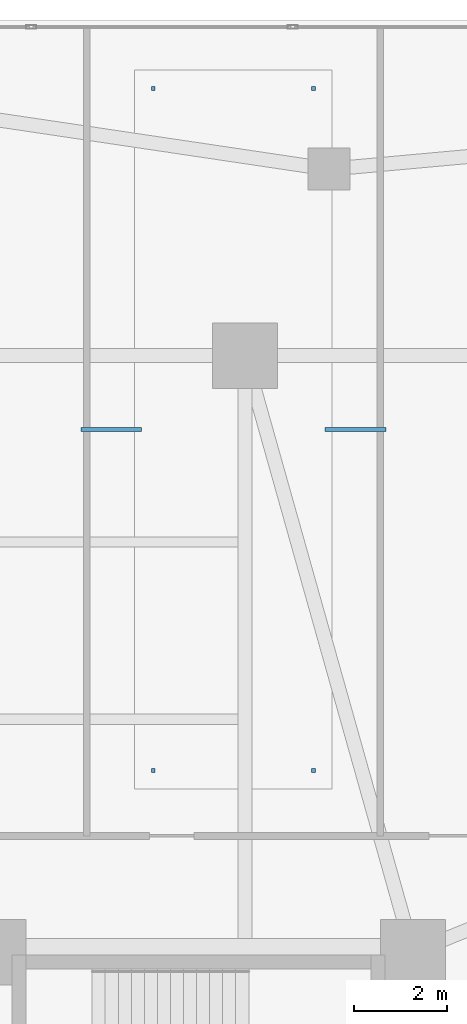
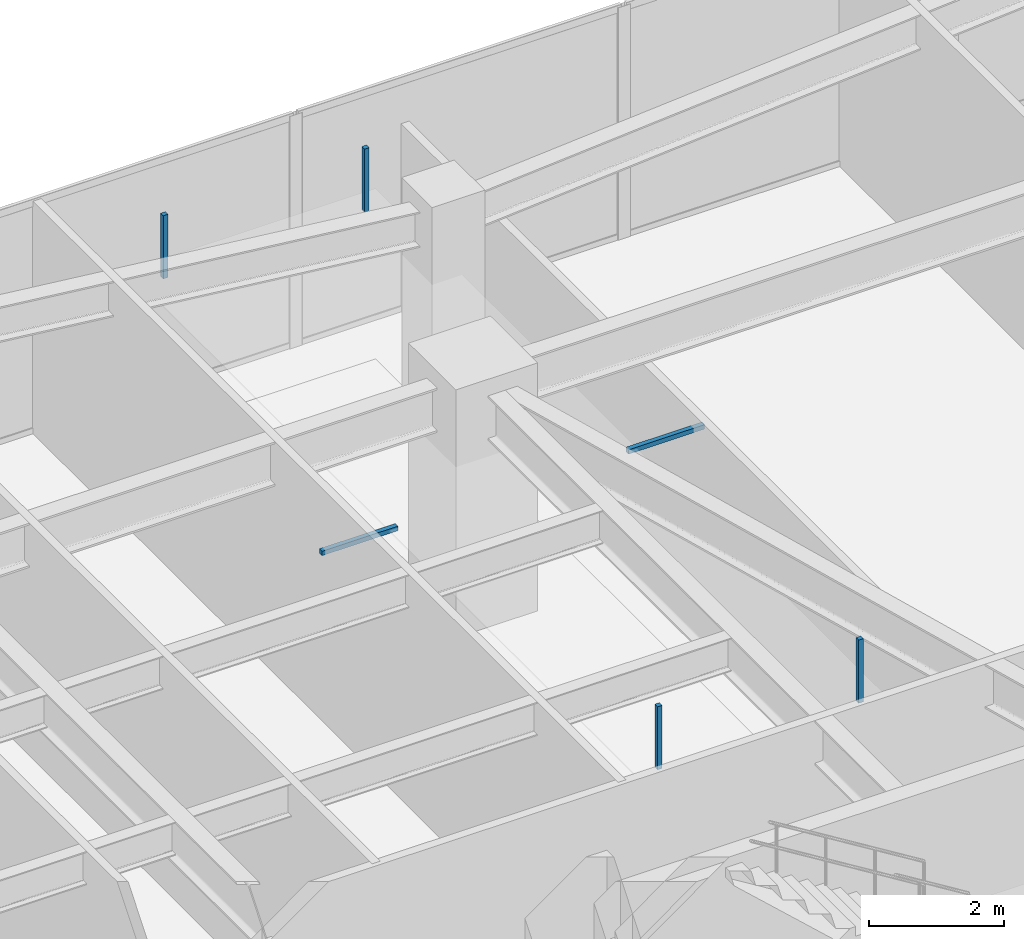
# One storey, part 25 of 29: 6 discrete accessories.
"""IFC4 building model written with IfcOpenShell, lengths in metres."""

from ifc_helpers import new_model, si_unit, direction, frame, origin, origin_2d, place, context, subcontext, project, spatial, rectangle, extrude, material, type_object, element, save


model = new_model("IFC4")

# Units and contexts
model_context = context("Model", 3, precision=1e-05, world=origin(), true_north=direction((0.0, 1.0)))
body_context = subcontext(model_context, "Body", "Model", "MODEL_VIEW")
ifc_project = project(units=[si_unit("LENGTHUNIT", "METRE"), si_unit("AREAUNIT", "SQUARE_METRE"), si_unit("VOLUMEUNIT", "CUBIC_METRE"), si_unit("PLANEANGLEUNIT", "RADIAN"), si_unit("MASSUNIT", "GRAM", prefix="KILO")], contexts=[model_context])

# Site, building, storey
site_placement = place(None, origin())
site = spatial("IfcSite", under=ifc_project, at=site_placement, CompositionType="ELEMENT")
building_placement = place(site_placement, origin())
building = spatial("IfcBuilding", under=site, at=building_placement, Name="Tarnavaz Court Tower", CompositionType="ELEMENT")
storey_placement = place(building_placement, frame((0.0, 0.0, 5.39990234375)))
storey = spatial("IfcBuildingStorey", under=building, at=storey_placement, Name="L01", CompositionType="ELEMENT", Elevation=5.39990234375)

# Discrete accessories
ifc_material = material(Name="Anodised Aluminium 6063-T6", Category="aluminium")
discrete_accessory_type = type_object("IfcDiscreteAccessoryType", Name="DA-BRKT-ALU", PredefinedType="BRACKET", material=ifc_material)
for number, where, z_axis, x_axis, name in (
    (1, (13.030029296875, 13.89990234375, 3.09033203125), (0.0, 0.0, 1.0), (1.0, 0.0, 0.0), "L01 Ceiling Suspension Hanger Bracket 04-1"),
    (2, (16.469970703125, 13.89990234375, 3.09033203125), (0.0, 0.0, 1.0), (1.0, 0.0, 0.0), "L01 Ceiling Suspension Hanger Bracket 04-2"),
    (3, (16.469970703125, 28.530029296875, 3.09033203125), (0.0, 0.0, 1.0), (1.0, 0.0, 0.0), "L01 Ceiling Suspension Hanger Bracket 04-3"),
    (4, (13.030029296875, 28.530029296875, 3.09033203125), (0.0, 0.0, 1.0), (1.0, 0.0, 0.0), "L01 Ceiling Suspension Hanger Bracket 04-4"),
):
    element("IfcDiscreteAccessory", number, at=place(storey_placement, frame(where, z_axis=z_axis, x_axis=x_axis)), inside=storey, type_object=discrete_accessory_type, Name=name, PredefinedType="BRACKET", context=body_context, shape_type="SweptSolid", body=[
        extrude(rectangle(XDim=0.080078125, YDim=0.080078125, at=origin_2d()), origin(), (0.0, 0.0, 1.0), 1.139892578125),
    ])
for number, where, z_axis, x_axis, name in (
    (5, (12.1298828125, 21.215087890625, 3.052490234375), (0.0, 0.0, 1.0), (1.0, 0.0, 0.0), "L01 Ceiling Perimeter Wall-Tie Bracket 04-1"),
    (6, (17.3701171875, 21.215087890625, 3.052490234375), (0.0, 0.0, 1.0), (1.0, 0.0, 0.0), "L01 Ceiling Perimeter Wall-Tie Bracket 04-2"),
):
    element("IfcDiscreteAccessory", number, at=place(storey_placement, frame(where, z_axis=z_axis, x_axis=x_axis)), inside=storey, type_object=discrete_accessory_type, Name=name, PredefinedType="BRACKET", context=body_context, shape_type="SweptSolid", body=[
        extrude(rectangle(XDim=1.300048828125, YDim=0.080078125, at=origin_2d()), origin(), (0.0, 0.0, 1.0), 0.080078125),
    ])

save(model, "model.ifc")
